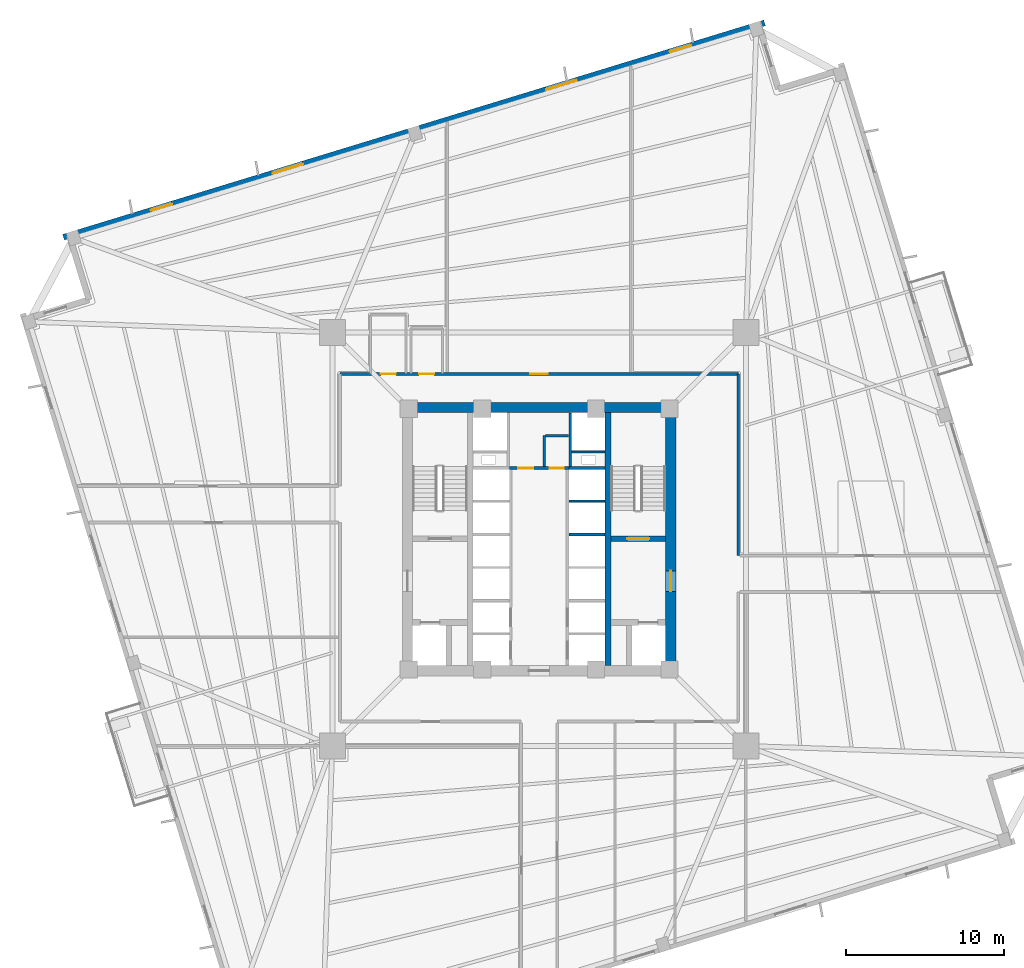
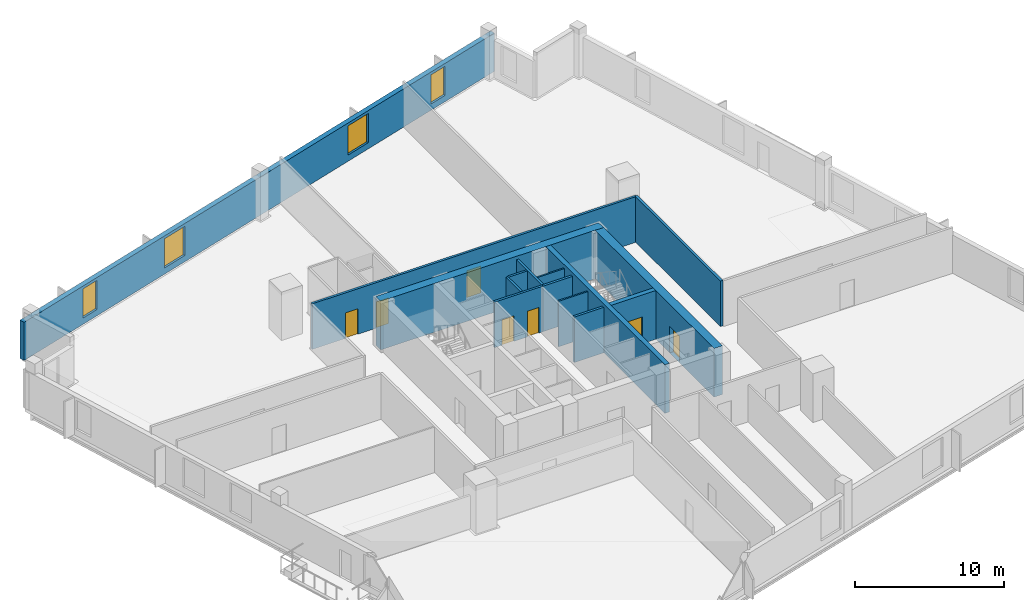
# One storey, part 5 of 9: 15 walls, 7 doors, 4 windows, 11 openings.
"""IFC4 building model written with IfcOpenShell, lengths in metres."""

from ifc_helpers import new_model, si_unit, direction, frame, frame_2d, origin, place, context, subcontext, project, spatial, rectangle, extrude, source, transform, mapped, material, layer, layer_set, type_object, element, fill, save


model = new_model("IFC4")

# Units and contexts
model_context = context("Model", 3, precision=1e-05, world=origin(), true_north=direction((0.0, 1.0)))
body_context = subcontext(model_context, "Body", "Model", "MODEL_VIEW")
ifc_project = project(units=[si_unit("LENGTHUNIT", "METRE"), si_unit("AREAUNIT", "SQUARE_METRE"), si_unit("VOLUMEUNIT", "CUBIC_METRE"), si_unit("PLANEANGLEUNIT", "RADIAN"), si_unit("MASSUNIT", "GRAM", prefix="KILO"), si_unit("THERMODYNAMICTEMPERATUREUNIT", "KELVIN")], contexts=[model_context])

# Site, building, storey
site_placement = place(None, origin())
site = spatial("IfcSite", under=ifc_project, at=site_placement, CompositionType="ELEMENT")
building_placement = place(site_placement, origin())
building = spatial("IfcBuilding", under=site, at=building_placement, Name="Kosmvard Interchange Tower", CompositionType="ELEMENT")
storey_placement = place(building_placement, frame((0.0, 0.0, 107.199951171875)))
storey = spatial("IfcBuildingStorey", under=building, at=storey_placement, Name="L25", CompositionType="ELEMENT", Elevation=107.199951171875)

# Walls
ifc_material_1 = material(Name="Fire-rated gypsum partition system")
ifc_layer_1 = layer(ifc_material_1, 0.159912109375, Name="Fire-rated gypsum partition system")
ifc_layer_set_1 = layer_set([ifc_layer_1], Name="Fire-rated gypsum partition system")
wall_type_1 = type_object("IfcWallType", Name="Core Compartment & Shuttle Lobby Partition 160", PredefinedType="PARTITIONING", material=ifc_layer_set_1)
wall_1_placement = place(storey_placement, frame((1.9599609375, 4.580078125, 0.0), z_axis=(0.0, 0.0, 1.0), x_axis=(0.0, 1.0, 0.0)))
element("IfcWall", 1, at=wall_1_placement, inside=storey, type_object=wall_type_1, Name="L25 North Core East Wall", PredefinedType="PARTITIONING", context=body_context, shape_type="SweptSolid", body=[
    extrude(rectangle(XDim=3.39990234375, YDim=0.159912109375, at=frame_2d((1.699951171875, 0.0))), origin(), (0.0, 0.0, 1.0), 3.739990234375),
])
ifc_material_2 = material(Name="Concrete blockwork masonry", Category="masonry")
ifc_layer_2 = layer(ifc_material_2, 0.159912109375, Name="Concrete blockwork masonry")
ifc_layer_set_2 = layer_set([ifc_layer_2], Name="Concrete blockwork masonry")
wall_type_2 = type_object("IfcWallType", Name="Core Enclosure Split Wall 160", PredefinedType="PARTITIONING", material=ifc_layer_set_2)
wall_2_placement = place(storey_placement, frame((0.320068359375, 4.60009765625, 0.0), z_axis=(0.0, 0.0, 1.0), x_axis=(0.0, 1.0, 0.0)))
element("IfcWall", 2, at=wall_2_placement, inside=storey, type_object=wall_type_2, Name="L25 Core K3 L-Wall 1", PredefinedType="PARTITIONING", context=body_context, shape_type="SweptSolid", body=[
    extrude(rectangle(XDim=1.949951171875, YDim=0.159912109375, at=frame_2d((0.97509765625, 0.0))), origin(), (0.0, 0.0, 1.0), 3.739990234375),
])
wall_3_placement = place(storey_placement, frame((0.39990234375, 6.550048828125, 0.0), z_axis=(0.0, 0.0, 1.0), x_axis=(1.0, 0.0, 0.0)))
element("IfcWall", 3, at=wall_3_placement, inside=storey, type_object=wall_type_2, Name="L25 Core K3 L-Wall 2", PredefinedType="PARTITIONING", context=body_context, shape_type="SweptSolid", body=[
    extrude(rectangle(XDim=1.460205078125, YDim=0.159912109375, at=frame_2d((0.72998046875, 0.0))), origin(), (0.0, 0.0, 1.0), 3.739990234375),
])

# Wall, openings, doors
ifc_layer_3 = layer(ifc_material_1, 0.179931640625, Name="Fire-rated gypsum partition system")
ifc_layer_set_3 = layer_set([ifc_layer_3], Name="Fire-rated gypsum partition system")
wall_type_3 = type_object("IfcWallType", Name="Corridor & Hotel Compartment Partition 180", PredefinedType="PARTITIONING", material=ifc_layer_set_3)
wall_4_placement = place(storey_placement, frame((-1.8798828125, 4.489990234375, 0.0), z_axis=(0.0, 0.0, 1.0), x_axis=(1.0, 0.0, 0.0)))
wall_4 = element("IfcWall", 4, at=wall_4_placement, inside=storey, type_object=wall_type_3, Name="L25 Lift Lobby North Partition", PredefinedType="PARTITIONING", context=body_context, shape_type="SweptSolid", body=[
    extrude(rectangle(XDim=3.759765625, YDim=0.179931640625, at=frame_2d((1.8798828125, 0.0))), origin(), (0.0, 0.0, 1.0), 3.739990234375),
])
opening_1_placement = place(wall_4_placement, frame((0.550048828125, 0.0, 0.0)))
opening_1 = element("IfcOpeningElement", 5, at=opening_1_placement, cuts=wall_4, Name="Opening L25-KD1", PredefinedType="OPENING", context=body_context, shape_type="SweptSolid", body=[
    extrude(rectangle(XDim=0.949951171875, YDim=2.10009765625, at=frame_2d((0.47509765625, 1.050048828125))), frame((0.0, 0.10009765625, 0.0), z_axis=(0.0, -1.0, 0.0), x_axis=(1.0, 0.0, 0.0)), (0.0, 0.0, 1.0), 0.199951171875),
])
opening_2_placement = place(wall_4_placement, frame((2.56005859375, 0.0, 0.0)))
opening_2 = element("IfcOpeningElement", 6, at=opening_2_placement, cuts=wall_4, Name="Opening L25-KD2", PredefinedType="OPENING", context=body_context, shape_type="SweptSolid", body=[
    extrude(rectangle(XDim=0.8798828125, YDim=2.10009765625, at=frame_2d((0.43994140625, 1.050048828125))), frame((0.0, 0.10009765625, 0.0), z_axis=(0.0, -1.0, 0.0), x_axis=(1.0, 0.0, 0.0)), (0.0, 0.0, 1.0), 0.199951171875),
])
ifc_material_3 = material(Name="Painted fire-rated timber leaf", Category="wood")
door_type_1 = type_object("IfcDoorType", Name="Core Service Fire Door 950x2100 EI30", OperationType="NOTDEFINED", PredefinedType="DOOR", material=ifc_material_3)
shared_shape_1 = source(origin(), body_context, "Body", "SweptSolid", [
    extrude(rectangle(XDim=0.949951171875, YDim=2.10009765625, at=frame_2d((0.47509765625, 1.050048828125))), frame((0.0, 0.02490234375, 0.0), z_axis=(0.0, -1.0, 0.0), x_axis=(1.0, 0.0, 0.0)), (0.0, 0.0, 1.0), 0.050048828125),
])
door_1_placement = place(opening_1_placement, origin())
door_1 = element("IfcDoor", 7, at=door_1_placement, inside=storey, type_object=door_type_1, Name="L25 Core Archive Store Door", OperationType="SINGLE_SWING_LEFT", OverallHeight=2.10009765625, OverallWidth=0.949951171875, PredefinedType="DOOR", context=body_context, shape_type="MappedRepresentation", body=[
    mapped(shared_shape_1, transform((0.0, 0.0, 0.0), scale=1.0)),
])
fill(opening_1, door_1)
door_type_2 = type_object("IfcDoorType", Name="Core Cupboard Fire Door 880x2100 EI30", OperationType="NOTDEFINED", PredefinedType="DOOR", material=ifc_material_3)
shared_shape_2 = source(origin(), body_context, "Body", "SweptSolid", [
    extrude(rectangle(XDim=0.8798828125, YDim=2.10009765625, at=frame_2d((0.43994140625, 1.050048828125))), frame((0.0, 0.02490234375, 0.0), z_axis=(0.0, -1.0, 0.0), x_axis=(1.0, 0.0, 0.0)), (0.0, 0.0, 1.0), 0.050048828125),
])
door_2_placement = place(opening_2_placement, origin())
door_2 = element("IfcDoor", 8, at=door_2_placement, inside=storey, type_object=door_type_2, Name="L25 Core Supplies Cupboard Door", OperationType="SINGLE_SWING_RIGHT", OverallHeight=2.10009765625, OverallWidth=0.8798828125, PredefinedType="DOOR", context=body_context, shape_type="MappedRepresentation", body=[
    mapped(shared_shape_2, transform((0.0, 0.0, 0.0), scale=1.0)),
])
fill(opening_2, door_2)

wall_5_placement = place(storey_placement, frame((-12.60009765625, 10.449951171875, 0.0), z_axis=(0.0, 0.0, 1.0), x_axis=(1.0, 0.0, 0.0)))
wall_5 = element("IfcWall", 9, at=wall_5_placement, inside=storey, type_object=wall_type_3, Name="L25 Corridor Wall CN", PredefinedType="PARTITIONING", context=body_context, shape_type="SweptSolid", body=[
    extrude(rectangle(XDim=25.2001953125, YDim=0.179931640625, at=frame_2d((12.60009765625, 0.0))), origin(), (0.0, 0.0, 1.0), 3.739990234375),
])
opening_3_placement = place(wall_5_placement, frame((5.013916015625, 0.0, 0.0)))
opening_3 = element("IfcOpeningElement", 10, at=opening_3_placement, cuts=wall_5, Name="Opening L25-D01", PredefinedType="OPENING", context=body_context, shape_type="SweptSolid", body=[
    extrude(rectangle(XDim=0.949951171875, YDim=2.10009765625, at=frame_2d((0.47509765625, 1.050048828125))), frame((0.0, 0.10009765625, 0.0), z_axis=(0.0, -1.0, 0.0), x_axis=(1.0, 0.0, 0.0)), (0.0, 0.0, 1.0), 0.199951171875),
])
opening_4_placement = place(wall_5_placement, frame((2.58984375, 0.0, 0.0)))
opening_4 = element("IfcOpeningElement", 11, at=opening_4_placement, cuts=wall_5, Name="Opening L25-D02", PredefinedType="OPENING", context=body_context, shape_type="SweptSolid", body=[
    extrude(rectangle(XDim=0.949951171875, YDim=2.10009765625, at=frame_2d((0.47509765625, 1.050048828125))), frame((0.0, 0.10009765625, 0.0), z_axis=(0.0, -1.0, 0.0), x_axis=(1.0, 0.0, 0.0)), (0.0, 0.0, 1.0), 0.199951171875),
])
opening_5_placement = place(wall_5_placement, frame((12.050048828125, 0.0, 0.0)))
opening_5 = element("IfcOpeningElement", 12, at=opening_5_placement, cuts=wall_5, Name="Opening L25-D04", PredefinedType="OPENING", context=body_context, shape_type="SweptSolid", body=[
    extrude(rectangle(XDim=1.10009765625, YDim=2.199951171875, at=frame_2d((0.550048828125, 1.10009765625))), frame((0.0, 0.10009765625, 0.0), z_axis=(0.0, -1.0, 0.0), x_axis=(1.0, 0.0, 0.0)), (0.0, 0.0, 1.0), 0.199951171875),
])
ifc_material_4 = material(Name="Laminated moisture-resistant timber", Category="wood")
door_type_3 = type_object("IfcDoorType", Name="Accessible Washroom Door 950x2100", OperationType="NOTDEFINED", PredefinedType="DOOR", material=ifc_material_4)
door_3_placement = place(opening_3_placement, origin())
door_3 = element("IfcDoor", 13, at=door_3_placement, inside=storey, type_object=door_type_3, Name="L25 Accessible Toilet Door", OperationType="SINGLE_SWING_LEFT", OverallHeight=2.10009765625, OverallWidth=0.949951171875, PredefinedType="DOOR", context=body_context, shape_type="MappedRepresentation", body=[
    mapped(shared_shape_1, transform((0.0, 0.0, 0.0), scale=1.0)),
])
fill(opening_3, door_3)
door_4_placement = place(opening_4_placement, origin())
door_4 = element("IfcDoor", 14, at=door_4_placement, inside=storey, type_object=door_type_3, Name="L25 Public Floor Washroom Door", OperationType="SINGLE_SWING_RIGHT", OverallHeight=2.10009765625, OverallWidth=0.949951171875, PredefinedType="DOOR", context=body_context, shape_type="MappedRepresentation", body=[
    mapped(shared_shape_1, transform((0.0, 0.0, 0.0), scale=1.0)),
])
fill(opening_4, door_4)
ifc_material_5 = material(Name="Engineered oak fire-rated timber", Category="wood")
door_type_4 = type_object("IfcDoorType", Name="Office Suite Entrance Door 1100x2200 FD30S", OperationType="NOTDEFINED", PredefinedType="DOOR", material=ifc_material_5)
shared_shape_3 = source(origin(), body_context, "Body", "SweptSolid", [
    extrude(rectangle(XDim=1.10009765625, YDim=2.199951171875, at=frame_2d((0.550048828125, 1.10009765625))), frame((0.0, 0.02490234375, 0.0), z_axis=(0.0, -1.0, 0.0), x_axis=(1.0, 0.0, 0.0)), (0.0, 0.0, 1.0), 0.050048828125),
])
door_5_placement = place(opening_5_placement, origin())
door_5 = element("IfcDoor", 15, at=door_5_placement, inside=storey, type_object=door_type_4, Name="L25 Central Concierge Reception Door", OperationType="SINGLE_SWING_RIGHT", OverallHeight=2.199951171875, OverallWidth=1.10009765625, PredefinedType="DOOR", context=body_context, shape_type="MappedRepresentation", body=[
    mapped(shared_shape_3, transform((0.0, 0.0, 0.0), scale=1.0)),
])
fill(opening_5, door_5)

# Wall
wall_6_placement = place(storey_placement, frame((12.60009765625, -1.050048828125, 0.0), z_axis=(0.0, 0.0, 1.0), x_axis=(0.0, 1.0, 0.0)))
element("IfcWall", 16, at=wall_6_placement, inside=storey, type_object=wall_type_3, Name="L25 Corridor Wall CEN", PredefinedType="PARTITIONING", context=body_context, shape_type="SweptSolid", body=[
    extrude(rectangle(XDim=11.5, YDim=0.179931640625, at=frame_2d((5.75, 0.0))), origin(), (0.0, 0.0, 1.0), 3.739990234375),
])

# Wall, openings, windows
ifc_material_6 = material(Name="Precast concrete C45/55", Category="concrete")
ifc_layer_4 = layer(ifc_material_6, 0.3798828125, Name="Precast concrete C45/55")
ifc_layer_set_4 = layer_set([ifc_layer_4], Name="Precast concrete C45/55")
wall_type_4 = type_object("IfcWallType", Name="Lower Tower Precast Pier Wall 380 C45/55", PredefinedType="STANDARD", material=ifc_layer_set_4)
wall_7_placement = place(storey_placement, frame((14.26513671875, 32.65771484375, 0.0), z_axis=(0.0, 0.0, 1.0), x_axis=(-0.956304320851, -0.292373127906, 0.0)))
wall_7 = element("IfcWall", 17, at=wall_7_placement, inside=storey, type_object=wall_type_4, Name="L25 Precast Facade Wall F-N", PredefinedType="STANDARD", context=body_context, shape_type="SweptSolid", body=[
    extrude(rectangle(XDim=46.380126953125, YDim=0.3798828125, at=frame_2d((23.18994140625, 0.0))), origin(), (0.0, 0.0, 1.0), 3.14013671875),
])
opening_6_placement = place(wall_7_placement, frame((4.865478515625, 0.0, 0.510009765625)))
opening_6 = element("IfcOpeningElement", 18, at=opening_6_placement, cuts=wall_7, Name="Opening L25-W11", PredefinedType="OPENING", context=body_context, shape_type="SweptSolid", body=[
    extrude(rectangle(XDim=1.39990234375, YDim=2.39990234375, at=frame_2d((0.699951171875, 1.199951171875))), frame((0.0, 0.199951171875, 0.0), z_axis=(0.0, -1.0, 0.0), x_axis=(1.0, 0.0, 0.0)), (0.0, 0.0, 1.0), 0.39990234375),
])
opening_7_placement = place(wall_7_placement, frame((12.4501953125, 0.0, 0.510009765625)))
opening_7 = element("IfcOpeningElement", 19, at=opening_7_placement, cuts=wall_7, Name="Opening L25-W12", PredefinedType="OPENING", context=body_context, shape_type="SweptSolid", body=[
    extrude(rectangle(XDim=2.0, YDim=2.39990234375, at=frame_2d((1.0, 1.199951171875))), frame((0.0, 0.199951171875, 0.0), z_axis=(0.0, -1.0, 0.0), x_axis=(1.0, 0.0, 0.0)), (0.0, 0.0, 1.0), 0.39990234375),
])
opening_8_placement = place(wall_7_placement, frame((30.538330078125, 0.0, 0.510009765625)))
opening_8 = element("IfcOpeningElement", 20, at=opening_8_placement, cuts=wall_7, Name="Opening L25-W13", PredefinedType="OPENING", context=body_context, shape_type="SweptSolid", body=[
    extrude(rectangle(XDim=2.0, YDim=2.39990234375, at=frame_2d((1.0, 1.199951171875))), frame((0.0, 0.199951171875, 0.0), z_axis=(0.0, -1.0, 0.0), x_axis=(1.0, 0.0, 0.0)), (0.0, 0.0, 1.0), 0.39990234375),
])
opening_9_placement = place(wall_7_placement, frame((39.186767578125, 0.0, 0.510009765625)))
opening_9 = element("IfcOpeningElement", 21, at=opening_9_placement, cuts=wall_7, Name="Opening L25-W14", PredefinedType="OPENING", context=body_context, shape_type="SweptSolid", body=[
    extrude(rectangle(XDim=1.39990234375, YDim=2.39990234375, at=frame_2d((0.699951171875, 1.199951171875))), frame((0.0, 0.199951171875, 0.0), z_axis=(0.0, -1.0, 0.0), x_axis=(1.0, 0.0, 0.0)), (0.0, 0.0, 1.0), 0.39990234375),
])
ifc_material_7 = material(Name="Low-E solar-control double glazing", Category="glass")
window_type_1 = type_object("IfcWindowType", Name="Notched Corner Feature Window 1400x2400", PartitioningType="SINGLE_PANEL", PredefinedType="WINDOW", material=ifc_material_7)
shared_shape_4 = source(origin(), body_context, "Body", "SweptSolid", [
    extrude(rectangle(XDim=1.39990234375, YDim=2.39990234375, at=frame_2d((0.699951171875, 1.199951171875))), frame((0.0, 0.030029296875, 0.0), z_axis=(0.0, -1.0, 0.0), x_axis=(1.0, 0.0, 0.0)), (0.0, 0.0, 1.0), 0.06005859375),
])
window_1_placement = place(opening_6_placement, origin())
window_1 = element("IfcWindow", 22, at=window_1_placement, inside=storey, type_object=window_type_1, Name="L25 Facade Punched Window 11", OverallHeight=2.39990234375, OverallWidth=1.39990234375, PartitioningType="SINGLE_PANEL", PredefinedType="WINDOW", context=body_context, shape_type="MappedRepresentation", body=[
    mapped(shared_shape_4, transform((0.0, 0.0, 0.0), scale=1.0)),
])
fill(opening_6, window_1)
window_2_placement = place(opening_9_placement, origin())
window_2 = element("IfcWindow", 23, at=window_2_placement, inside=storey, type_object=window_type_1, Name="L25 Facade Punched Window 14", OverallHeight=2.39990234375, OverallWidth=1.39990234375, PartitioningType="SINGLE_PANEL", PredefinedType="WINDOW", context=body_context, shape_type="MappedRepresentation", body=[
    mapped(shared_shape_4, transform((0.0, 0.0, 0.0), scale=1.0)),
])
fill(opening_9, window_2)
window_type_2 = type_object("IfcWindowType", Name="Zone 2 Office Punched Window 2000x2400", PartitioningType="SINGLE_PANEL", PredefinedType="WINDOW", material=ifc_material_7)
shared_shape_5 = source(origin(), body_context, "Body", "SweptSolid", [
    extrude(rectangle(XDim=2.0, YDim=2.39990234375, at=frame_2d((1.0, 1.199951171875))), frame((0.0, 0.030029296875, 0.0), z_axis=(0.0, -1.0, 0.0), x_axis=(1.0, 0.0, 0.0)), (0.0, 0.0, 1.0), 0.06005859375),
])
window_3_placement = place(opening_7_placement, origin())
window_3 = element("IfcWindow", 24, at=window_3_placement, inside=storey, type_object=window_type_2, Name="L25 Facade Punched Window 12", OverallHeight=2.39990234375, OverallWidth=2.0, PartitioningType="SINGLE_PANEL", PredefinedType="WINDOW", context=body_context, shape_type="MappedRepresentation", body=[
    mapped(shared_shape_5, transform((0.0, 0.0, 0.0), scale=1.0)),
])
fill(opening_7, window_3)
window_4_placement = place(opening_8_placement, origin())
window_4 = element("IfcWindow", 25, at=window_4_placement, inside=storey, type_object=window_type_2, Name="L25 Facade Punched Window 13", OverallHeight=2.39990234375, OverallWidth=2.0, PartitioningType="SINGLE_PANEL", PredefinedType="WINDOW", context=body_context, shape_type="MappedRepresentation", body=[
    mapped(shared_shape_5, transform((0.0, 0.0, 0.0), scale=1.0)),
])
fill(opening_8, window_4)

# Wall
ifc_material_8 = material(Name="Concrete C70/85", Category="concrete")
ifc_layer_5 = layer(ifc_material_8, 0.64990234375, Name="Concrete C70/85")
ifc_layer_set_5 = layer_set([ifc_layer_5], Name="Concrete C70/85")
wall_type_5 = type_object("IfcWallType", Name="Mid Core Shear Wall 650 C70/85", PredefinedType="SHEAR", material=ifc_layer_set_5)
wall_8_placement = place(storey_placement, frame((-8.64990234375, 8.324951171875, 0.0), z_axis=(0.0, 0.0, 1.0), x_axis=(1.0, 0.0, 0.0)))
element("IfcWall", 26, at=wall_8_placement, inside=storey, type_object=wall_type_5, Name="L25 Core Shear Wall CW-N", PredefinedType="SHEAR", context=body_context, shape_type="SweptSolid", body=[
    extrude(rectangle(XDim=17.2998046875, YDim=0.64990234375, at=frame_2d((8.64990234375, 0.0))), origin(), (0.0, 0.0, 1.0), 4.0),
])

# Wall, opening, door
wall_9_placement = place(storey_placement, frame((8.324951171875, -8.0, 0.0), z_axis=(0.0, 0.0, 1.0), x_axis=(0.0, 1.0, 0.0)))
wall_9 = element("IfcWall", 27, at=wall_9_placement, inside=storey, type_object=wall_type_5, Name="L25 Core Shear Wall CW-E", PredefinedType="SHEAR", context=body_context, shape_type="SweptSolid", body=[
    extrude(rectangle(XDim=16.0, YDim=0.64990234375, at=frame_2d((8.0, 0.0))), origin(), (0.0, 0.0, 1.0), 4.0),
])
opening_10_placement = place(wall_9_placement, frame((4.68994140625, 0.0, 0.0)))
opening_10 = element("IfcOpeningElement", 28, at=opening_10_placement, cuts=wall_9, Name="Opening L25-FD2", PredefinedType="OPENING", context=body_context, shape_type="SweptSolid", body=[
    extrude(rectangle(XDim=1.300048828125, YDim=2.199951171875, at=frame_2d((0.64990234375, 1.10009765625))), frame((0.0, 0.3349609375, 0.0), z_axis=(0.0, -1.0, 0.0), x_axis=(1.0, 0.0, 0.0)), (0.0, 0.0, 1.0), 0.669921875),
])
ifc_material_9 = material(Name="Painted fire-rated steel leaf", Category="steel")
door_type_5 = type_object("IfcDoorType", Name="Firefighting Lobby Door 1300x2200 EI60", OperationType="NOTDEFINED", PredefinedType="DOOR", material=ifc_material_9)
shared_shape_6 = source(origin(), body_context, "Body", "SweptSolid", [
    extrude(rectangle(XDim=1.300048828125, YDim=2.199951171875, at=frame_2d((0.64990234375, 1.10009765625))), frame((0.0, 0.02490234375, 0.0), z_axis=(0.0, -1.0, 0.0), x_axis=(1.0, 0.0, 0.0)), (0.0, 0.0, 1.0), 0.050048828125),
])
door_6_placement = place(opening_10_placement, origin())
door_6 = element("IfcDoor", 29, at=door_6_placement, inside=storey, type_object=door_type_5, Name="L25 Firefighting Lobby East Door", OperationType="SINGLE_SWING_RIGHT", OverallHeight=2.199951171875, OverallWidth=1.300048828125, PredefinedType="DOOR", context=body_context, shape_type="MappedRepresentation", body=[
    mapped(shared_shape_6, transform((0.0, 0.0, 0.0), scale=1.0)),
])
fill(opening_10, door_6)

# Walls
ifc_layer_6 = layer(ifc_material_2, 0.179931640625, Name="Concrete blockwork masonry")
ifc_layer_set_6 = layer_set([ifc_layer_6], Name="Concrete blockwork masonry")
wall_type_6 = type_object("IfcWallType", Name="Riser & Lift Bank Divider Wall 180", PredefinedType="PARTITIONING", material=ifc_layer_set_6)
for number, where, z_axis, x_axis, name in (
    (30, (1.889892578125, 0.300048828125, 0.0), (0.0, 0.0, 1.0), (1.0, 0.0, 0.0), "L25 East Bank Divider BD2"),
    (31, (1.889892578125, 4.489990234375, 0.0), (0.0, 0.0, 1.0), (1.0, 0.0, 0.0), "L25 East Bank Divider BD3"),
):
    element("IfcWall", number, at=place(storey_placement, frame(where, z_axis=z_axis, x_axis=x_axis)), inside=storey, type_object=wall_type_6, Name=name, PredefinedType="PARTITIONING", context=body_context, shape_type="SweptSolid", body=[
        extrude(rectangle(XDim=2.280029296875, YDim=0.179931640625, at=frame_2d((1.14013671875, 0.0))), origin(), (0.0, 0.0, 1.0), 3.739990234375),
    ])
ifc_material_10 = material(Name="Fire-rated gypsum shaftwall system")
ifc_layer_7 = layer(ifc_material_10, 0.1201171875, Name="Fire-rated gypsum shaftwall system")
ifc_layer_set_7 = layer_set([ifc_layer_7], Name="Fire-rated gypsum shaftwall system")
wall_type_7 = type_object("IfcWallType", Name="Shaft & Riser Fire Partition 120 EI60", PredefinedType="PARTITIONING", material=ifc_layer_set_7)
wall_10_placement = place(storey_placement, frame((1.89990234375, 2.39990234375, 0.0), z_axis=(0.0, 0.0, 1.0), x_axis=(1.0, 0.0, 0.0)))
element("IfcWall", 32, at=wall_10_placement, inside=storey, type_object=wall_type_7, Name="L25 Shaft Divider PL-H3", PredefinedType="PARTITIONING", context=body_context, shape_type="SweptSolid", body=[
    extrude(rectangle(XDim=2.260009765625, YDim=0.1201171875, at=frame_2d((1.1298828125, 0.0))), origin(), (0.0, 0.0, 1.0), 3.739990234375),
])
wall_11_placement = place(storey_placement, frame((2.06005859375, 5.52001953125, 0.0), z_axis=(0.0, 0.0, 1.0), x_axis=(1.0, 0.0, 0.0)))
element("IfcWall", 33, at=wall_11_placement, inside=storey, type_object=wall_type_7, Name="L25 Riser Shaft Divider E", PredefinedType="PARTITIONING", context=body_context, shape_type="SweptSolid", body=[
    extrude(rectangle(XDim=2.099853515625, YDim=0.1201171875, at=frame_2d((1.0498046875, 0.0))), origin(), (0.0, 0.0, 1.0), 3.739990234375),
])
ifc_material_11 = material(Name="Concrete C60/75", Category="concrete")
ifc_layer_8 = layer(ifc_material_11, 0.360107421875, Name="Concrete C60/75")
ifc_layer_set_8 = layer_set([ifc_layer_8], Name="Concrete C60/75")
wall_type_8 = type_object("IfcWallType", Name="Stair & Lift Shaft Shear Wall 360 C60/75", PredefinedType="SHEAR", material=ifc_layer_set_8)
wall_12_placement = place(storey_placement, frame((4.360107421875, -8.0, 0.0), z_axis=(0.0, 0.0, 1.0), x_axis=(0.0, 1.0, 0.0)))
element("IfcWall", 34, at=wall_12_placement, inside=storey, type_object=wall_type_8, Name="L25 Shaft Shear Wall SW-E", PredefinedType="SHEAR", context=body_context, shape_type="SweptSolid", body=[
    extrude(rectangle(XDim=16.0, YDim=0.360107421875, at=frame_2d((8.0, 0.0))), origin(), (0.0, 0.0, 1.0), 4.0),
])

# Wall, opening, door
wall_13_placement = place(storey_placement, frame((4.5400390625, 0.02001953125, 0.0), z_axis=(0.0, 0.0, 1.0), x_axis=(1.0, 0.0, 0.0)))
wall_13 = element("IfcWall", 35, at=wall_13_placement, inside=storey, type_object=wall_type_8, Name="L25 Shaft Shear Wall SW-ST2", PredefinedType="SHEAR", context=body_context, shape_type="SweptSolid", body=[
    extrude(rectangle(XDim=3.4599609375, YDim=0.360107421875, at=frame_2d((1.72998046875, 0.0))), origin(), (0.0, 0.0, 1.0), 4.0),
])
opening_11_placement = place(wall_13_placement, frame((1.030029296875, 0.0, 0.0)))
opening_11 = element("IfcOpeningElement", 36, at=opening_11_placement, cuts=wall_13, Name="Opening L25-SD2", PredefinedType="OPENING", context=body_context, shape_type="SweptSolid", body=[
    extrude(rectangle(XDim=1.39990234375, YDim=2.199951171875, at=frame_2d((0.699951171875, 1.10009765625))), frame((0.0, 0.18994140625, 0.0), z_axis=(0.0, -1.0, 0.0), x_axis=(1.0, 0.0, 0.0)), (0.0, 0.0, 1.0), 0.380126953125),
])
door_type_6 = type_object("IfcDoorType", Name="Protected Stair Door 1400x2200 FD60S", OperationType="NOTDEFINED", PredefinedType="DOOR", material=ifc_material_9)
shared_shape_7 = source(origin(), body_context, "Body", "SweptSolid", [
    extrude(rectangle(XDim=1.39990234375, YDim=2.199951171875, at=frame_2d((0.699951171875, 1.10009765625))), frame((0.0, 0.02490234375, 0.0), z_axis=(0.0, -1.0, 0.0), x_axis=(1.0, 0.0, 0.0)), (0.0, 0.0, 1.0), 0.050048828125),
])
door_7_placement = place(opening_11_placement, origin())
door_7 = element("IfcDoor", 37, at=door_7_placement, inside=storey, type_object=door_type_6, Name="L25 Stair ST-2 Enclosure Door", OperationType="SINGLE_SWING_RIGHT", OverallHeight=2.199951171875, OverallWidth=1.39990234375, PredefinedType="DOOR", context=body_context, shape_type="MappedRepresentation", body=[
    mapped(shared_shape_7, transform((0.0, 0.0, 0.0), scale=1.0)),
])
fill(opening_11, door_7)

save(model, "model.ifc")
